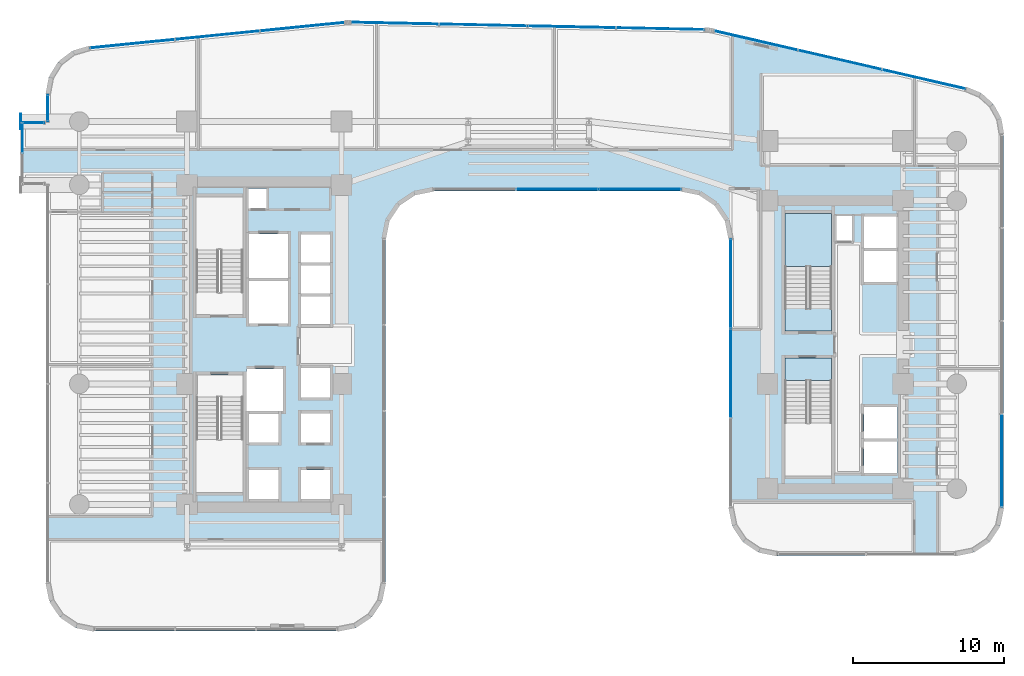
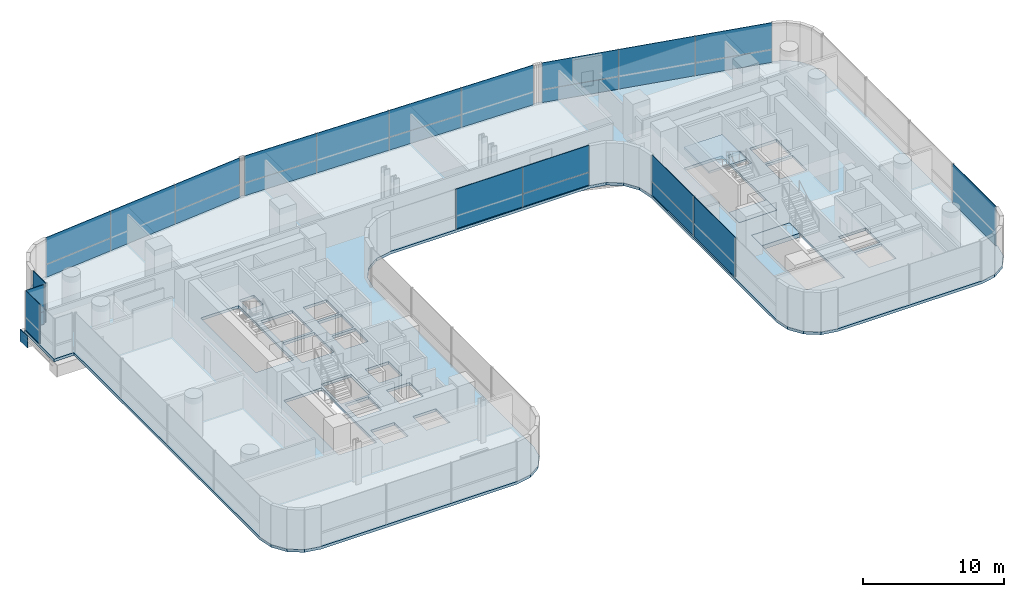
# One storey, part 30 of 40: 29 plates, 4 slabs, 10 elements without a shape of their own.
"""IFC4 building model written with IfcOpenShell, lengths in metres."""

from ifc_helpers import new_model, si_unit, direction, frame, origin, origin_2d, place, context, subcontext, project, spatial, polyline, rectangle, outline, extrude, source, transform, mapped, material, layer, layer_set, type_object, element, aggregate, save


model = new_model("IFC4")

# Units and contexts
model_context = context("Model", 3, precision=1e-05, world=origin(), true_north=direction((0.0, 1.0)))
body_context = subcontext(model_context, "Body", "Model", "MODEL_VIEW")
ifc_project = project(units=[si_unit("LENGTHUNIT", "METRE"), si_unit("AREAUNIT", "SQUARE_METRE"), si_unit("VOLUMEUNIT", "CUBIC_METRE"), si_unit("PLANEANGLEUNIT", "RADIAN"), si_unit("MASSUNIT", "GRAM", prefix="KILO")], contexts=[model_context])

# Site, building, storey
site_placement = place(None, origin())
site = spatial("IfcSite", under=ifc_project, at=site_placement, CompositionType="ELEMENT")
building_placement = place(site_placement, origin())
building = spatial("IfcBuilding", under=site, at=building_placement, Name="Valdorenza Pilgrim Sanctuary Tower", CompositionType="ELEMENT")
storey_placement = place(building_placement, frame((0.0, 0.0, 51.89990234375)))
storey = spatial("IfcBuildingStorey", under=building, at=storey_placement, Name="L12", CompositionType="ELEMENT", Elevation=51.89990234375)

# Slab
ifc_material_1 = material(Name="Concrete C40/50", Category="concrete")
ifc_layer_1 = layer(ifc_material_1, 0.239990234375, Name="Concrete C40/50")
ifc_layer_set_1 = layer_set([ifc_layer_1], Name="Concrete C40/50")
slab_type_1 = type_object("IfcSlabType", Name="SLAB-FLR-220", PredefinedType="FLOOR", material=ifc_layer_set_1)
slab_1_placement = place(storey_placement, frame((0.0, 0.0, -0.239990234375)))
element("IfcSlab", 1, at=slab_1_placement, inside=storey, type_object=slab_type_1, Name="L12 Structural Floor Slab 1", PredefinedType="FLOOR", context=body_context, shape_type="SweptSolid", body=[
    extrude(outline(polyline([(-31.785888671875, 17.754638671875), (-31.172607421875, 18.751220703125), (-30.241943359375, 19.460693359375), (-29.118408203125, 19.7880859375), (-12.192138671875, 21.480712890625), (-11.999755859375, 21.494140625), (-11.9033203125, 21.49658203125), (11.66943359375, 21.0068359375), (11.833984375, 20.999267578125), (11.997802734375, 20.983154296875), (12.160888671875, 20.95849609375), (12.322265625, 20.925537109375), (29.01953125, 17.072509765625), (30.00732421875, 16.660888671875), (30.80419921875, 15.946533203125), (31.321044921875, 15.009521484375), (31.5, 13.954345703125), (31.5, -10.800048828125), (31.25634765625, -12.024658203125), (30.562744140625, -13.062744140625), (29.524658203125, -13.75634765625), (28.300048828125, -14.0), (16.5, -14.0), (15.275390625, -13.75634765625), (14.2373046875, -13.062744140625), (13.543701171875, -12.024658203125), (13.300048828125, -10.800048828125), (13.300048828125, 7.0), (13.056396484375, 8.224609375), (12.36279296875, 9.2626953125), (11.32470703125, 9.956298828125), (10.10009765625, 10.199951171875), (-6.300048828125, 10.199951171875), (-7.524658203125, 9.956298828125), (-8.562744140625, 9.2626953125), (-9.25634765625, 8.224609375), (-9.5, 7.0), (-9.5, -15.800048828125), (-9.74365234375, -17.024658203125), (-10.437255859375, -18.062744140625), (-11.475341796875, -18.75634765625), (-12.699951171875, -19.0), (-28.800048828125, -19.0), (-30.024658203125, -18.75634765625), (-31.062744140625, -18.062744140625), (-31.75634765625, -17.024658203125), (-32.0, -15.800048828125), (-32.0, 10.60009765625), (-33.64990234375, 10.60009765625), (-33.64990234375, 14.800048828125), (-32.0, 14.800048828125), (-32.0, 16.60400390625), (-31.785888671875, 17.754638671875)]), holes=[polyline([(-16.60009765625, -10.25), (-16.60009765625, -8.300048828125), (-18.550048828125, -8.300048828125), (-18.550048828125, -10.25), (-16.60009765625, -10.25)]), polyline([(-22.050048828125, -9.800048828125), (-18.93994140625, -9.800048828125), (-18.93994140625, -3.485107421875), (-18.93994140625, -2.0), (-22.050048828125, -2.0), (-22.050048828125, -3.485107421875), (-22.050048828125, -9.800048828125)]), polyline([(-18.550048828125, -6.5), (-16.60009765625, -6.5), (-16.60009765625, -4.60009765625), (-18.550048828125, -4.60009765625), (-18.550048828125, -6.5)]), polyline([(-13.179931640625, -6.5), (-13.179931640625, -4.550048828125), (-15.10009765625, -4.550048828125), (-15.10009765625, -6.5), (-13.179931640625, -6.5)]), polyline([(-18.719970703125, -4.39990234375), (-16.300048828125, -4.39990234375), (-16.300048828125, -1.60009765625), (-18.719970703125, -1.60009765625), (-18.719970703125, -4.39990234375)]), polyline([(-13.179931640625, -3.5), (-13.179931640625, -1.550048828125), (-15.10009765625, -1.550048828125), (-15.10009765625, -3.5), (-13.179931640625, -3.5)]), polyline([(-22.050048828125, 2.0), (-18.93994140625, 2.0), (-18.93994140625, 3.485107421875), (-18.93994140625, 9.800048828125), (-22.050048828125, 9.800048828125), (-22.050048828125, 3.485107421875), (-22.050048828125, 2.0)]), polyline([(-18.550048828125, 1.39990234375), (-15.949951171875, 1.39990234375), (-15.949951171875, 4.22509765625), (-18.550048828125, 4.22509765625), (-18.550048828125, 1.39990234375)]), polyline([(-15.949951171875, 4.425048828125), (-15.949951171875, 7.35009765625), (-18.550048828125, 7.35009765625), (-18.550048828125, 4.425048828125), (-15.949951171875, 4.425048828125)]), polyline([(-15.10009765625, 5.449951171875), (-13.179931640625, 5.449951171875), (-13.179931640625, 7.300048828125), (-15.10009765625, 7.300048828125), (-15.10009765625, 5.449951171875)]), polyline([(-17.360107421875, 9.030029296875), (-17.360107421875, 10.35009765625), (-18.570068359375, 10.35009765625), (-18.570068359375, 9.030029296875), (-17.360107421875, 9.030029296875)]), polyline([(-15.10009765625, -10.25), (-13.179931640625, -10.25), (-13.179931640625, -8.300048828125), (-15.10009765625, -8.300048828125), (-15.10009765625, -10.25)]), polyline([(22.25, -8.5), (24.47998046875, -8.5), (24.47998046875, -6.425048828125), (22.25, -6.425048828125), (22.25, -8.5)]), polyline([(17.0, -2.385009765625), (17.0, -8.699951171875), (20.110107421875, -8.699951171875), (20.110107421875, -2.385009765625), (20.110107421875, -0.89990234375), (17.0, -0.89990234375), (17.0, -2.385009765625)]), polyline([(22.25, -6.22509765625), (24.47998046875, -6.22509765625), (24.47998046875, -4.14990234375), (22.25, -4.14990234375), (22.25, -6.22509765625)]), polyline([(17.0, 0.89990234375), (20.110107421875, 0.89990234375), (20.110107421875, 2.385009765625), (20.110107421875, 8.699951171875), (17.0, 8.699951171875), (17.0, 2.385009765625), (17.0, 0.89990234375)]), polyline([(-15.10009765625, 1.35009765625), (-13.179931640625, 1.35009765625), (-13.179931640625, 3.199951171875), (-15.10009765625, 3.199951171875), (-15.10009765625, 1.35009765625)]), polyline([(-15.10009765625, 3.39990234375), (-13.179931640625, 3.39990234375), (-13.179931640625, 5.25), (-15.10009765625, 5.25), (-15.10009765625, 3.39990234375)]), polyline([(22.25, 4.14990234375), (24.47998046875, 4.14990234375), (24.47998046875, 6.22509765625), (22.25, 6.22509765625), (22.25, 4.14990234375)]), polyline([(22.25, 6.425048828125), (24.47998046875, 6.425048828125), (24.47998046875, 8.5), (22.25, 8.5), (22.25, 6.425048828125)]), polyline([(20.409912109375, 6.860107421875), (21.489990234375, 6.860107421875), (21.489990234375, 8.52001953125), (20.409912109375, 8.52001953125), (20.409912109375, 6.860107421875)])]), origin(), (0.0, 0.0, 1.0), 0.239990234375),
])

# Stair, slab
stair_type = type_object("IfcStairType", Name="STR-DOG-CORE", PredefinedType="HALF_TURN_STAIR", material=ifc_material_1)
stair_placement = place(storey_placement, origin())
stair = element("IfcStair", 2, at=stair_placement, inside=storey, type_object=stair_type, Name="L12 ST-B1", PredefinedType="HALF_TURN_STAIR")
ifc_layer_2 = layer(ifc_material_1, 0.199951171875, Name="Concrete C40/50")
ifc_layer_set_2 = layer_set([ifc_layer_2], Name="Concrete C40/50")
slab_type_2 = type_object("IfcSlabType", Name="SLAB-STL-200", PredefinedType="LANDING", material=ifc_layer_set_2)
slab_2_placement = place(storey_placement, frame((0.0, 0.0, 1.650146484375)))
slab_2 = element("IfcSlab", 3, at=slab_2_placement, type_object=slab_type_2, Name="ST-B1 landing 1", PredefinedType="LANDING", context=body_context, shape_type="SweptSolid", body=[
    extrude(outline(polyline([(20.110107421875, 5.179931640625), (20.110107421875, 8.699951171875), (17.0, 8.699951171875), (17.0, 5.179931640625), (20.110107421875, 5.179931640625)])), origin(), (0.0, 0.0, 1.0), 0.199951171875),
])
aggregate(stair, [slab_2])

# Slabs
ifc_material_2 = material(Name="Concrete C50/60", Category="concrete")
ifc_layer_3 = layer(ifc_material_2, 0.39990234375, Name="Concrete C50/60")
ifc_layer_set_3 = layer_set([ifc_layer_3], Name="Concrete C50/60")
slab_type_3 = type_object("IfcSlabType", Name="SLAB-TRF-400", PredefinedType="FLOOR", material=ifc_layer_set_3)
slab_3_placement = place(storey_placement, frame((0.0, 0.0, -0.35986328125)))
element("IfcSlab", 4, at=slab_3_placement, inside=storey, type_object=slab_type_3, Name="L12 ST-B1 Structural Stair Landing Bearing Slab", PredefinedType="FLOOR", context=body_context, shape_type="SweptSolid", body=[
    extrude(outline(polyline([(17.0, 0.89990234375), (20.110107421875, 0.89990234375), (20.110107421875, 2.385009765625), (17.0, 2.385009765625), (17.0, 0.89990234375)])), origin(), (0.0, 0.0, 1.0), 0.35986328125),
])
slab_4_placement = place(storey_placement, frame((0.0, 0.0, -0.35986328125)))
element("IfcSlab", 5, at=slab_4_placement, inside=storey, type_object=slab_type_3, Name="L12 ST-B2 Structural Stair Landing Bearing Slab", PredefinedType="FLOOR", context=body_context, shape_type="SweptSolid", body=[
    extrude(outline(polyline([(17.0, -2.385009765625), (20.110107421875, -2.385009765625), (20.110107421875, -0.89990234375), (17.0, -0.89990234375), (17.0, -2.385009765625)])), origin(), (0.0, 0.0, 1.0), 0.35986328125),
])

# Plate
ifc_material_3 = material(Name="Steel ASTM A572 Grade 42", Category="steel")
ifc_layer_4 = layer(ifc_material_3, 0.06005859375, Name="Steel ASTM A572 Grade 42")
ifc_layer_set_4 = layer_set([ifc_layer_4], Name="Steel ASTM A572 Grade 42")
plate_type_1 = type_object("IfcPlateType", Name="PLT-CAP-60", PredefinedType="SHEET", material=ifc_layer_set_4)
shared_shape_1 = source(origin(), body_context, "Body", "SweptSolid", [
    extrude(rectangle(XDim=0.06005859375, YDim=1.0400390625, at=origin_2d()), origin(), (0.0, 0.0, 1.0), 1.0400390625),
])
plate_1_placement = place(storey_placement, frame((-33.679931640625, 14.800048828125, -1.260009765625), z_axis=(0.0, 0.0, 1.0), x_axis=(1.0, 0.0, 0.0)))
element("IfcPlate", 6, at=plate_1_placement, inside=storey, type_object=plate_type_1, Name="L12 BOX-WA-L12 Cantilever Tip End Cap N", PredefinedType="SHEET", context=body_context, shape_type="MappedRepresentation", body=[
    mapped(shared_shape_1, transform((0.0, 0.0, 0.0), x_axis=(1.0, 0.0, 0.0), y_axis=(0.0, 1.0, 0.0), z_axis=(0.0, 0.0, 1.0), scale=1.0)),
])

# Curtain wall, plates
ifc_material_4 = material(Name="Curtain-wall IGU glazing", Category="glass")
curtain_wall_type_1 = type_object("IfcCurtainWallType", Name="CW-SYS-02", PredefinedType="NOTDEFINED", material=ifc_material_4)
curtain_wall_1_placement = place(storey_placement, origin())
curtain_wall_1 = element("IfcCurtainWall", 7, at=curtain_wall_1_placement, inside=storey, type_object=curtain_wall_type_1, Name="L12 Curtain Wall CW-L12-1-6", PredefinedType="NOTDEFINED")
ifc_material_5 = material(Name="Honed travertine limestone", Category="masonry")
ifc_layer_5 = layer(ifc_material_5, 0.050048828125, Name="Honed travertine limestone")
ifc_layer_set_5 = layer_set([ifc_layer_5], Name="Honed travertine limestone")
plate_type_2 = type_object("IfcPlateType", Name="CW-SPN-TRV", PredefinedType="USERDEFINED", material=ifc_layer_set_5)
shared_shape_2 = source(origin(), body_context, "Body", "SweptSolid", [
    extrude(rectangle(XDim=5.646484375, YDim=0.06005859375, at=origin_2d()), origin(), (0.0, 0.0, 1.0), 1.10009765625),
])
plate_2_placement = place(storey_placement, frame((-26.2783203125, 19.961669921875, 0.010009765625), z_axis=(0.0, 0.0, 1.0), x_axis=(0.995038220239, 0.099493418189, 0.0)))
plate_2 = element("IfcPlate", 8, at=plate_2_placement, type_object=plate_type_2, Name="CW-L12-1-6 Travertine Spandrel 1", ObjectType="SPANDREL", PredefinedType="USERDEFINED", context=body_context, shape_type="MappedRepresentation", body=[
    mapped(shared_shape_2, transform((0.0, 0.0, 0.0), x_axis=(1.0, 0.0, 0.0), y_axis=(0.0, 1.0, 0.0), z_axis=(0.0, 0.0, 1.0), scale=1.0)),
])
plate_3_placement = place(storey_placement, frame((-15.001220703125, 21.08935546875, 0.010009765625), z_axis=(0.0, 0.0, 1.0), x_axis=(0.995038220239, 0.099493418189, 0.0)))
plate_3 = element("IfcPlate", 9, at=plate_3_placement, type_object=plate_type_2, Name="CW-L12-1-6 Travertine Spandrel 3", ObjectType="SPANDREL", PredefinedType="USERDEFINED", context=body_context, shape_type="MappedRepresentation", body=[
    mapped(shared_shape_2, transform((0.0, 0.0, 0.0), x_axis=(1.0, 0.0, 0.0), y_axis=(0.0, 1.0, 0.0), z_axis=(0.0, 0.0, 1.0), scale=1.0)),
])
ifc_material_6 = material(Name="Ceramic-fritted low-E IGU glazing", Category="glass")
ifc_layer_6 = layer(ifc_material_6, 0.035888671875, Name="Ceramic-fritted low-E IGU glazing")
ifc_layer_set_6 = layer_set([ifc_layer_6], Name="Ceramic-fritted low-E IGU glazing")
plate_type_3 = type_object("IfcPlateType", Name="CW-GLZ-IGU", PredefinedType="USERDEFINED", material=ifc_layer_set_6)
shared_shape_3 = source(origin(), body_context, "Body", "SweptSolid", [
    extrude(rectangle(XDim=5.646484375, YDim=0.050048828125, at=origin_2d()), origin(), (0.0, 0.0, 1.0), 2.320068359375),
])
plate_4_placement = place(storey_placement, frame((-26.2783203125, 19.961669921875, 1.1298828125), z_axis=(0.0, 0.0, 1.0), x_axis=(0.995038220239, 0.099493418189, 0.0)))
plate_4 = element("IfcPlate", 10, at=plate_4_placement, type_object=plate_type_3, Name="CW-L12-1-6 Facade Panel 1", ObjectType="GLAZING", PredefinedType="USERDEFINED", context=body_context, shape_type="MappedRepresentation", body=[
    mapped(shared_shape_3, transform((0.0, 0.0, 0.0), x_axis=(1.0, 0.0, 0.0), y_axis=(0.0, 1.0, 0.0), z_axis=(0.0, 0.0, 1.0), scale=1.0)),
])
plate_5_placement = place(storey_placement, frame((-15.001220703125, 21.08935546875, 1.1298828125), z_axis=(0.0, 0.0, 1.0), x_axis=(0.995038220239, 0.099493418189, 0.0)))
plate_5 = element("IfcPlate", 11, at=plate_5_placement, type_object=plate_type_3, Name="CW-L12-1-6 Facade Panel 3", ObjectType="GLAZING", PredefinedType="USERDEFINED", context=body_context, shape_type="MappedRepresentation", body=[
    mapped(shared_shape_3, transform((0.0, 0.0, 0.0), x_axis=(1.0, 0.0, 0.0), y_axis=(0.0, 1.0, 0.0), z_axis=(0.0, 0.0, 1.0), scale=1.0)),
])
shared_shape_4 = source(origin(), body_context, "Body", "SweptSolid", [
    extrude(rectangle(XDim=5.646484375, YDim=0.050048828125, at=origin_2d()), origin(), (0.0, 0.0, 1.0), 3.43994140625),
])
plate_6_placement = place(storey_placement, frame((-20.6396484375, 20.525634765625, 0.010009765625), z_axis=(0.0, 0.0, 1.0), x_axis=(0.995038220239, 0.099493418189, 0.0)))
plate_6 = element("IfcPlate", 12, at=plate_6_placement, type_object=plate_type_3, Name="CW-L12-1-6 Full-Height Facade Panel 2", ObjectType="GLAZING", PredefinedType="USERDEFINED", context=body_context, shape_type="MappedRepresentation", body=[
    mapped(shared_shape_4, transform((0.0, 0.0, 0.0), x_axis=(1.0, 0.0, 0.0), y_axis=(0.0, 1.0, 0.0), z_axis=(0.0, 0.0, 1.0), scale=1.0)),
])
aggregate(curtain_wall_1, [plate_2, plate_4, plate_6, plate_3, plate_5])

curtain_wall_2_placement = place(storey_placement, origin())
curtain_wall_2 = element("IfcCurtainWall", 13, at=curtain_wall_2_placement, inside=storey, type_object=curtain_wall_type_1, Name="L12 Curtain Wall CW-L12-1-11", PredefinedType="NOTDEFINED")
shared_shape_5 = source(origin(), body_context, "Body", "SweptSolid", [
    extrude(rectangle(XDim=5.849853515625, YDim=0.06005859375, at=origin_2d()), origin(), (0.0, 0.0, 1.0), 1.10009765625),
])
plate_7_placement = place(storey_placement, frame((-8.8740234375, 21.324951171875, 0.010009765625), z_axis=(0.0, 0.0, 1.0), x_axis=(0.999783234613, -0.020820273474, 0.0)))
plate_7 = element("IfcPlate", 14, at=plate_7_placement, type_object=plate_type_2, Name="CW-L12-1-11 Travertine Spandrel 1", ObjectType="SPANDREL", PredefinedType="USERDEFINED", context=body_context, shape_type="MappedRepresentation", body=[
    mapped(shared_shape_5, transform((0.0, 0.0, 0.0), x_axis=(1.0, 0.0, 0.0), y_axis=(0.0, 1.0, 0.0), z_axis=(0.0, 0.0, 1.0), scale=1.0)),
])
plate_8_placement = place(storey_placement, frame((2.86279296875, 21.080322265625, 0.010009765625), z_axis=(0.0, 0.0, 1.0), x_axis=(0.999783234613, -0.020820273474, 0.0)))
plate_8 = element("IfcPlate", 15, at=plate_8_placement, type_object=plate_type_2, Name="CW-L12-1-11 Travertine Spandrel 3", ObjectType="SPANDREL", PredefinedType="USERDEFINED", context=body_context, shape_type="MappedRepresentation", body=[
    mapped(shared_shape_5, transform((0.0, 0.0, 0.0), x_axis=(1.0, 0.0, 0.0), y_axis=(0.0, 1.0, 0.0), z_axis=(0.0, 0.0, 1.0), scale=1.0)),
])
shared_shape_6 = source(origin(), body_context, "Body", "SweptSolid", [
    extrude(rectangle(XDim=5.849853515625, YDim=0.050048828125, at=origin_2d()), origin(), (0.0, 0.0, 1.0), 2.320068359375),
])
plate_9_placement = place(storey_placement, frame((-8.8740234375, 21.324951171875, 1.1298828125), z_axis=(0.0, 0.0, 1.0), x_axis=(0.999783234613, -0.020820273474, 0.0)))
plate_9 = element("IfcPlate", 16, at=plate_9_placement, type_object=plate_type_3, Name="CW-L12-1-11 Facade Panel 1", ObjectType="GLAZING", PredefinedType="USERDEFINED", context=body_context, shape_type="MappedRepresentation", body=[
    mapped(shared_shape_6, transform((0.0, 0.0, 0.0), x_axis=(1.0, 0.0, 0.0), y_axis=(0.0, 1.0, 0.0), z_axis=(0.0, 0.0, 1.0), scale=1.0)),
])
plate_10_placement = place(storey_placement, frame((2.86279296875, 21.080322265625, 1.1298828125), z_axis=(0.0, 0.0, 1.0), x_axis=(0.999783234613, -0.020820273474, 0.0)))
plate_10 = element("IfcPlate", 17, at=plate_10_placement, type_object=plate_type_3, Name="CW-L12-1-11 Facade Panel 3", ObjectType="GLAZING", PredefinedType="USERDEFINED", context=body_context, shape_type="MappedRepresentation", body=[
    mapped(shared_shape_6, transform((0.0, 0.0, 0.0), x_axis=(1.0, 0.0, 0.0), y_axis=(0.0, 1.0, 0.0), z_axis=(0.0, 0.0, 1.0), scale=1.0)),
])
shared_shape_7 = source(origin(), body_context, "Body", "SweptSolid", [
    extrude(rectangle(XDim=5.849853515625, YDim=0.050048828125, at=origin_2d()), origin(), (0.0, 0.0, 1.0), 3.43994140625),
])
plate_11_placement = place(storey_placement, frame((-3.005615234375, 21.20263671875, 0.010009765625), z_axis=(0.0, 0.0, 1.0), x_axis=(0.999783234613, -0.020820273474, 0.0)))
plate_11 = element("IfcPlate", 18, at=plate_11_placement, type_object=plate_type_3, Name="CW-L12-1-11 Full-Height Facade Panel 2", ObjectType="GLAZING", PredefinedType="USERDEFINED", context=body_context, shape_type="MappedRepresentation", body=[
    mapped(shared_shape_7, transform((0.0, 0.0, 0.0), x_axis=(1.0, 0.0, 0.0), y_axis=(0.0, 1.0, 0.0), z_axis=(0.0, 0.0, 1.0), scale=1.0)),
])
plate_12_placement = place(storey_placement, frame((8.7314453125, 20.9580078125, 0.010009765625), z_axis=(0.0, 0.0, 1.0), x_axis=(0.999783234613, -0.020820273474, 0.0)))
plate_12 = element("IfcPlate", 19, at=plate_12_placement, type_object=plate_type_3, Name="CW-L12-1-11 Full-Height Facade Panel 4", ObjectType="GLAZING", PredefinedType="USERDEFINED", context=body_context, shape_type="MappedRepresentation", body=[
    mapped(shared_shape_7, transform((0.0, 0.0, 0.0), x_axis=(1.0, 0.0, 0.0), y_axis=(0.0, 1.0, 0.0), z_axis=(0.0, 0.0, 1.0), scale=1.0)),
])
aggregate(curtain_wall_2, [plate_7, plate_9, plate_11, plate_8, plate_10, plate_12])

curtain_wall_type_2 = type_object("IfcCurtainWallType", Name="CW-SYS-03", PredefinedType="NOTDEFINED", material=ifc_material_4)
curtain_wall_3_placement = place(storey_placement, origin())
curtain_wall_3 = element("IfcCurtainWall", 20, at=curtain_wall_3_placement, inside=storey, type_object=curtain_wall_type_2, Name="L12 Curtain Wall CW-L12-1-16", PredefinedType="NOTDEFINED")
shared_shape_8 = source(origin(), body_context, "Body", "SweptSolid", [
    extrude(rectangle(XDim=5.6884765625, YDim=0.06005859375, at=origin_2d()), origin(), (0.0, 0.0, 1.0), 1.10009765625),
])
plate_13_placement = place(storey_placement, frame((15.080078125, 20.17626953125, 0.010009765625), z_axis=(0.0, 0.0, 1.0), x_axis=(0.974389691758, -0.224866023659, 0.0)))
plate_13 = element("IfcPlate", 21, at=plate_13_placement, type_object=plate_type_2, Name="CW-L12-1-16 Travertine Spandrel 1", ObjectType="SPANDREL", PredefinedType="USERDEFINED", context=body_context, shape_type="MappedRepresentation", body=[
    mapped(shared_shape_8, transform((0.0, 0.0, 0.0), x_axis=(1.0, 0.0, 0.0), y_axis=(0.0, 1.0, 0.0), z_axis=(0.0, 0.0, 1.0), scale=1.0)),
])
plate_14_placement = place(storey_placement, frame((26.20458984375, 17.609130859375, 0.010009765625), z_axis=(0.0, 0.0, 1.0), x_axis=(0.974389691758, -0.224866023659, 0.0)))
plate_14 = element("IfcPlate", 22, at=plate_14_placement, type_object=plate_type_2, Name="CW-L12-1-16 Travertine Spandrel 3", ObjectType="SPANDREL", PredefinedType="USERDEFINED", context=body_context, shape_type="MappedRepresentation", body=[
    mapped(shared_shape_8, transform((0.0, 0.0, 0.0), x_axis=(1.0, 0.0, 0.0), y_axis=(0.0, 1.0, 0.0), z_axis=(0.0, 0.0, 1.0), scale=1.0)),
])
shared_shape_9 = source(origin(), body_context, "Body", "SweptSolid", [
    extrude(rectangle(XDim=5.6884765625, YDim=0.050048828125, at=origin_2d()), origin(), (0.0, 0.0, 1.0), 2.320068359375),
])
plate_15_placement = place(storey_placement, frame((15.080078125, 20.17626953125, 1.1298828125), z_axis=(0.0, 0.0, 1.0), x_axis=(0.974389691758, -0.224866023659, 0.0)))
plate_15 = element("IfcPlate", 23, at=plate_15_placement, type_object=plate_type_3, Name="CW-L12-1-16 Facade Panel 1", ObjectType="GLAZING", PredefinedType="USERDEFINED", context=body_context, shape_type="MappedRepresentation", body=[
    mapped(shared_shape_9, transform((0.0, 0.0, 0.0), x_axis=(1.0, 0.0, 0.0), y_axis=(0.0, 1.0, 0.0), z_axis=(0.0, 0.0, 1.0), scale=1.0)),
])
plate_16_placement = place(storey_placement, frame((26.20458984375, 17.609130859375, 1.1298828125), z_axis=(0.0, 0.0, 1.0), x_axis=(0.974389691758, -0.224866023659, 0.0)))
plate_16 = element("IfcPlate", 24, at=plate_16_placement, type_object=plate_type_3, Name="CW-L12-1-16 Facade Panel 3", ObjectType="GLAZING", PredefinedType="USERDEFINED", context=body_context, shape_type="MappedRepresentation", body=[
    mapped(shared_shape_9, transform((0.0, 0.0, 0.0), x_axis=(1.0, 0.0, 0.0), y_axis=(0.0, 1.0, 0.0), z_axis=(0.0, 0.0, 1.0), scale=1.0)),
])
shared_shape_10 = source(origin(), body_context, "Body", "SweptSolid", [
    extrude(rectangle(XDim=5.6884765625, YDim=0.050048828125, at=origin_2d()), origin(), (0.0, 0.0, 1.0), 3.43994140625),
])
plate_17_placement = place(storey_placement, frame((20.642333984375, 18.892578125, 0.010009765625), z_axis=(0.0, 0.0, 1.0), x_axis=(0.974389691758, -0.224866023659, 0.0)))
plate_17 = element("IfcPlate", 25, at=plate_17_placement, type_object=plate_type_3, Name="CW-L12-1-16 Full-Height Facade Panel 2", ObjectType="GLAZING", PredefinedType="USERDEFINED", context=body_context, shape_type="MappedRepresentation", body=[
    mapped(shared_shape_10, transform((0.0, 0.0, 0.0), x_axis=(1.0, 0.0, 0.0), y_axis=(0.0, 1.0, 0.0), z_axis=(0.0, 0.0, 1.0), scale=1.0)),
])
aggregate(curtain_wall_3, [plate_13, plate_15, plate_17, plate_14, plate_16])

# Curtain wall, plate
curtain_wall_4_placement = place(storey_placement, origin())
curtain_wall_4 = element("IfcCurtainWall", 26, at=curtain_wall_4_placement, inside=storey, type_object=curtain_wall_type_2, Name="L12 Curtain Wall CW-L12-1-21", PredefinedType="NOTDEFINED")
shared_shape_11 = source(origin(), body_context, "Body", "SweptSolid", [
    extrude(rectangle(XDim=6.16357421875, YDim=0.050048828125, at=origin_2d()), origin(), (0.0, 0.0, 1.0), 3.43994140625),
])
plate_18_placement = place(storey_placement, frame((31.389892578125, -7.697509765625, 0.010009765625), z_axis=(0.0, 0.0, 1.0), x_axis=(0.0, -1.0, 0.0)))
plate_18 = element("IfcPlate", 27, at=plate_18_placement, type_object=plate_type_3, Name="CW-L12-1-21 Full-Height Facade Panel 4", ObjectType="GLAZING", PredefinedType="USERDEFINED", context=body_context, shape_type="MappedRepresentation", body=[
    mapped(shared_shape_11, transform((0.0, 0.0, 0.0), x_axis=(1.0, 0.0, 0.0), y_axis=(0.0, 1.0, 0.0), z_axis=(0.0, 0.0, 1.0), scale=1.0)),
])
aggregate(curtain_wall_4, [plate_18])

# Curtain wall, plates
curtain_wall_5_placement = place(storey_placement, origin())
curtain_wall_5 = element("IfcCurtainWall", 28, at=curtain_wall_5_placement, inside=storey, type_object=curtain_wall_type_2, Name="L12 Curtain Wall CW-L12-1-31", PredefinedType="NOTDEFINED")
shared_shape_12 = source(origin(), body_context, "Body", "SweptSolid", [
    extrude(rectangle(XDim=5.913330078125, YDim=0.06005859375, at=origin_2d()), origin(), (0.0, 0.0, 1.0), 1.10009765625),
])
plate_19_placement = place(storey_placement, frame((13.409912109375, 4.044189453125, 0.010009765625), z_axis=(0.0, 0.0, 1.0), x_axis=(0.0, 1.0, 0.0)))
plate_19 = element("IfcPlate", 29, at=plate_19_placement, type_object=plate_type_2, Name="CW-L12-1-31 Travertine Spandrel 3", ObjectType="SPANDREL", PredefinedType="USERDEFINED", context=body_context, shape_type="MappedRepresentation", body=[
    mapped(shared_shape_12, transform((0.0, 0.0, 0.0), x_axis=(1.0, 0.0, 0.0), y_axis=(0.0, 1.0, 0.0), z_axis=(0.0, 0.0, 1.0), scale=1.0)),
])
shared_shape_13 = source(origin(), body_context, "Body", "SweptSolid", [
    extrude(rectangle(XDim=5.913330078125, YDim=0.050048828125, at=origin_2d()), origin(), (0.0, 0.0, 1.0), 2.320068359375),
])
plate_20_placement = place(storey_placement, frame((13.409912109375, 4.044189453125, 1.1298828125), z_axis=(0.0, 0.0, 1.0), x_axis=(0.0, 1.0, 0.0)))
plate_20 = element("IfcPlate", 30, at=plate_20_placement, type_object=plate_type_3, Name="CW-L12-1-31 Facade Panel 3", ObjectType="GLAZING", PredefinedType="USERDEFINED", context=body_context, shape_type="MappedRepresentation", body=[
    mapped(shared_shape_13, transform((0.0, 0.0, 0.0), x_axis=(1.0, 0.0, 0.0), y_axis=(0.0, 1.0, 0.0), z_axis=(0.0, 0.0, 1.0), scale=1.0)),
])
shared_shape_14 = source(origin(), body_context, "Body", "SweptSolid", [
    extrude(rectangle(XDim=5.913330078125, YDim=0.050048828125, at=origin_2d()), origin(), (0.0, 0.0, 1.0), 3.43994140625),
])
plate_21_placement = place(storey_placement, frame((13.409912109375, -1.88916015625, 0.010009765625), z_axis=(0.0, 0.0, 1.0), x_axis=(0.0, 1.0, 0.0)))
plate_21 = element("IfcPlate", 31, at=plate_21_placement, type_object=plate_type_3, Name="CW-L12-1-31 Full-Height Facade Panel 2", ObjectType="GLAZING", PredefinedType="USERDEFINED", context=body_context, shape_type="MappedRepresentation", body=[
    mapped(shared_shape_14, transform((0.0, 0.0, 0.0), x_axis=(1.0, 0.0, 0.0), y_axis=(0.0, 1.0, 0.0), z_axis=(0.0, 0.0, 1.0), scale=1.0)),
])
aggregate(curtain_wall_5, [plate_21, plate_19, plate_20])

curtain_wall_6_placement = place(storey_placement, origin())
curtain_wall_6 = element("IfcCurtainWall", 32, at=curtain_wall_6_placement, inside=storey, type_object=curtain_wall_type_1, Name="L12 Curtain Wall CW-L12-1-36", PredefinedType="NOTDEFINED")
shared_shape_15 = source(origin(), body_context, "Body", "SweptSolid", [
    extrude(rectangle(XDim=5.453857421875, YDim=0.06005859375, at=origin_2d()), origin(), (0.0, 0.0, 1.0), 1.10009765625),
])
plate_22_placement = place(storey_placement, frame((7.373779296875, 10.31005859375, 0.010009765625), z_axis=(0.0, 0.0, 1.0), x_axis=(-1.0, 0.0, 0.0)))
plate_22 = element("IfcPlate", 33, at=plate_22_placement, type_object=plate_type_2, Name="CW-L12-1-36 Travertine Spandrel 1", ObjectType="SPANDREL", PredefinedType="USERDEFINED", context=body_context, shape_type="MappedRepresentation", body=[
    mapped(shared_shape_15, transform((0.0, 0.0, 0.0), x_axis=(1.0, 0.0, 0.0), y_axis=(0.0, 1.0, 0.0), z_axis=(0.0, 0.0, 1.0), scale=1.0)),
])
shared_shape_16 = source(origin(), body_context, "Body", "SweptSolid", [
    extrude(rectangle(XDim=5.453857421875, YDim=0.050048828125, at=origin_2d()), origin(), (0.0, 0.0, 1.0), 2.320068359375),
])
plate_23_placement = place(storey_placement, frame((7.373779296875, 10.31005859375, 1.1298828125), z_axis=(0.0, 0.0, 1.0), x_axis=(-1.0, 0.0, 0.0)))
plate_23 = element("IfcPlate", 34, at=plate_23_placement, type_object=plate_type_3, Name="CW-L12-1-36 Facade Panel 1", ObjectType="GLAZING", PredefinedType="USERDEFINED", context=body_context, shape_type="MappedRepresentation", body=[
    mapped(shared_shape_16, transform((0.0, 0.0, 0.0), x_axis=(1.0, 0.0, 0.0), y_axis=(0.0, 1.0, 0.0), z_axis=(0.0, 0.0, 1.0), scale=1.0)),
])
shared_shape_17 = source(origin(), body_context, "Body", "SweptSolid", [
    extrude(rectangle(XDim=5.453857421875, YDim=0.050048828125, at=origin_2d()), origin(), (0.0, 0.0, 1.0), 3.43994140625),
])
plate_24_placement = place(storey_placement, frame((1.89990234375, 10.31005859375, 0.010009765625), z_axis=(0.0, 0.0, 1.0), x_axis=(-1.0, 0.0, 0.0)))
plate_24 = element("IfcPlate", 35, at=plate_24_placement, type_object=plate_type_3, Name="CW-L12-1-36 Full-Height Facade Panel 2", ObjectType="GLAZING", PredefinedType="USERDEFINED", context=body_context, shape_type="MappedRepresentation", body=[
    mapped(shared_shape_17, transform((0.0, 0.0, 0.0), x_axis=(1.0, 0.0, 0.0), y_axis=(0.0, 1.0, 0.0), z_axis=(0.0, 0.0, 1.0), scale=1.0)),
])
aggregate(curtain_wall_6, [plate_22, plate_23, plate_24])

curtain_wall_7_placement = place(storey_placement, origin())
curtain_wall_7 = element("IfcCurtainWall", 36, at=curtain_wall_7_placement, inside=storey, type_object=curtain_wall_type_1, Name="L12 Curtain Wall CW-L12-BOX-WA-L12-N", PredefinedType="NOTDEFINED")
shared_shape_18 = source(origin(), body_context, "Body", "SweptSolid", [
    extrude(rectangle(XDim=1.43994140625, YDim=0.06005859375, at=origin_2d()), origin(), (0.0, 0.0, 1.0), 1.10009765625),
])
plate_25_placement = place(storey_placement, frame((-32.840087890625, 14.719970703125, 0.010009765625), z_axis=(0.0, 0.0, 1.0), x_axis=(1.0, 0.0, 0.0)))
plate_25 = element("IfcPlate", 37, at=plate_25_placement, type_object=plate_type_2, Name="CW-L12-BOX-WA-L12-N Travertine Spandrel 1", ObjectType="SPANDREL", PredefinedType="USERDEFINED", context=body_context, shape_type="MappedRepresentation", body=[
    mapped(shared_shape_18, transform((0.0, 0.0, 0.0), x_axis=(1.0, 0.0, 0.0), y_axis=(0.0, 1.0, 0.0), z_axis=(0.0, 0.0, 1.0), scale=1.0)),
])
shared_shape_19 = source(origin(), body_context, "Body", "SweptSolid", [
    extrude(rectangle(XDim=1.43994140625, YDim=0.050048828125, at=origin_2d()), origin(), (0.0, 0.0, 1.0), 2.320068359375),
])
plate_26_placement = place(storey_placement, frame((-32.840087890625, 14.719970703125, 1.1298828125), z_axis=(0.0, 0.0, 1.0), x_axis=(1.0, 0.0, 0.0)))
plate_26 = element("IfcPlate", 38, at=plate_26_placement, type_object=plate_type_3, Name="CW-L12-BOX-WA-L12-N Facade Panel 1", ObjectType="GLAZING", PredefinedType="USERDEFINED", context=body_context, shape_type="MappedRepresentation", body=[
    mapped(shared_shape_19, transform((0.0, 0.0, 0.0), x_axis=(1.0, 0.0, 0.0), y_axis=(0.0, 1.0, 0.0), z_axis=(0.0, 0.0, 1.0), scale=1.0)),
])
aggregate(curtain_wall_7, [plate_25, plate_26])

curtain_wall_8_placement = place(storey_placement, origin())
curtain_wall_8 = element("IfcCurtainWall", 39, at=curtain_wall_8_placement, inside=storey, type_object=curtain_wall_type_1, Name="L12 Curtain Wall CW-L12-1-1S2", PredefinedType="NOTDEFINED")
shared_shape_20 = source(origin(), body_context, "Body", "SweptSolid", [
    extrude(rectangle(XDim=1.77392578125, YDim=0.06005859375, at=origin_2d()), origin(), (0.0, 0.0, 1.0), 1.10009765625),
])
plate_27_placement = place(storey_placement, frame((-31.889892578125, 15.697021484375, 0.010009765625), z_axis=(0.0, 0.0, 1.0), x_axis=(0.0, 1.0, 0.0)))
plate_27 = element("IfcPlate", 40, at=plate_27_placement, type_object=plate_type_2, Name="CW-L12-1-1S2 Travertine Spandrel 1", ObjectType="SPANDREL", PredefinedType="USERDEFINED", context=body_context, shape_type="MappedRepresentation", body=[
    mapped(shared_shape_20, transform((0.0, 0.0, 0.0), x_axis=(1.0, 0.0, 0.0), y_axis=(0.0, 1.0, 0.0), z_axis=(0.0, 0.0, 1.0), scale=1.0)),
])
shared_shape_21 = source(origin(), body_context, "Body", "SweptSolid", [
    extrude(rectangle(XDim=1.77392578125, YDim=0.050048828125, at=origin_2d()), origin(), (0.0, 0.0, 1.0), 2.320068359375),
])
plate_28_placement = place(storey_placement, frame((-31.889892578125, 15.697021484375, 1.1298828125), z_axis=(0.0, 0.0, 1.0), x_axis=(0.0, 1.0, 0.0)))
plate_28 = element("IfcPlate", 41, at=plate_28_placement, type_object=plate_type_3, Name="CW-L12-1-1S2 Facade Panel 1", ObjectType="GLAZING", PredefinedType="USERDEFINED", context=body_context, shape_type="MappedRepresentation", body=[
    mapped(shared_shape_21, transform((0.0, 0.0, 0.0), x_axis=(1.0, 0.0, 0.0), y_axis=(0.0, 1.0, 0.0), z_axis=(0.0, 0.0, 1.0), scale=1.0)),
])
aggregate(curtain_wall_8, [plate_27, plate_28])

# Curtain wall, plate
curtain_wall_9_placement = place(storey_placement, origin())
curtain_wall_9 = element("IfcCurtainWall", 42, at=curtain_wall_9_placement, inside=storey, type_object=curtain_wall_type_1, Name="L12 Curtain Wall CW-L12-BOX-WA-L12-F", PredefinedType="NOTDEFINED")
shared_shape_22 = source(origin(), body_context, "Body", "SweptSolid", [
    extrude(rectangle(XDim=2.0, YDim=0.050048828125, at=origin_2d()), origin(), (0.0, 0.0, 1.0), 3.43994140625),
])
plate_29_placement = place(storey_placement, frame((-33.570068359375, 13.7099609375, 0.010009765625), z_axis=(0.0, 0.0, 1.0), x_axis=(0.0, 1.0, 0.0)))
plate_29 = element("IfcPlate", 43, at=plate_29_placement, type_object=plate_type_3, Name="CW-L12-BOX-WA-L12-F Full-Height Facade Panel 2", ObjectType="GLAZING", PredefinedType="USERDEFINED", context=body_context, shape_type="MappedRepresentation", body=[
    mapped(shared_shape_22, transform((0.0, 0.0, 0.0), x_axis=(1.0, 0.0, 0.0), y_axis=(0.0, 1.0, 0.0), z_axis=(0.0, 0.0, 1.0), scale=1.0)),
])
aggregate(curtain_wall_9, [plate_29])

save(model, "model.ifc")
